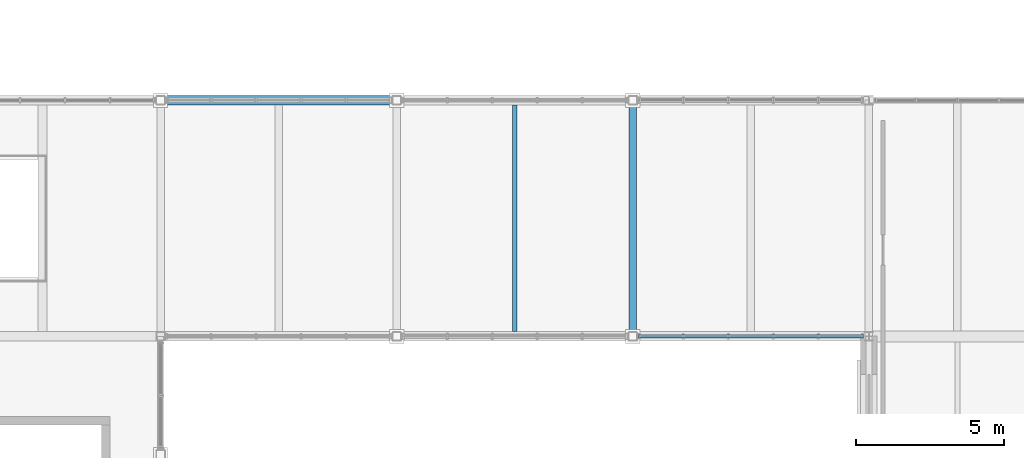
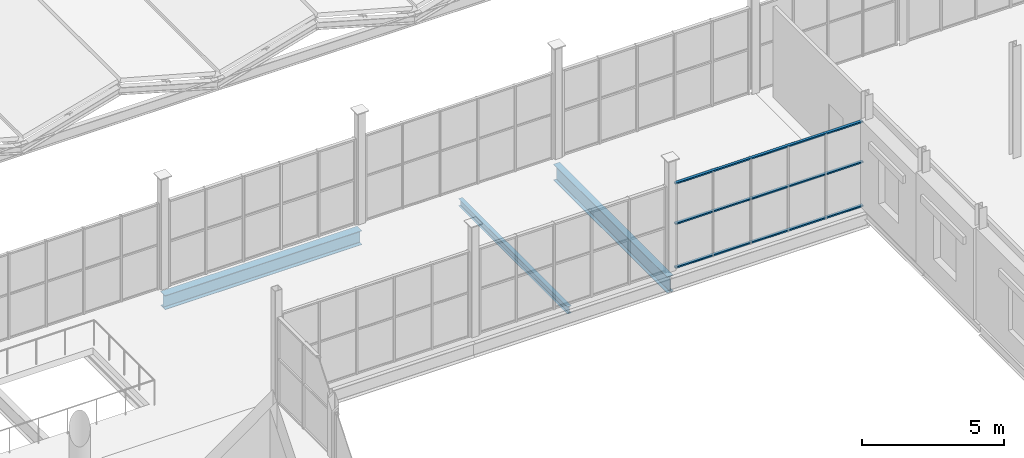
# One storey, part 52 of 114: 3 beams, 3 members, 1 element without a shape of its own.
"""IFC4 building model written with IfcOpenShell, lengths in metres."""

from ifc_helpers import new_model, si_unit, direction, frame, origin, origin_2d, place, context, subcontext, project, spatial, hollow_rectangle, i_section, extrude, material, material_profile, profile_set, type_object, element, aggregate, save


model = new_model("IFC4")

# Units and contexts
model_context = context("Model", 3, precision=1e-05, world=origin(), true_north=direction((0.0, 1.0)))
body_context = subcontext(model_context, "Body", "Model", "MODEL_VIEW")
ifc_project = project(units=[si_unit("LENGTHUNIT", "METRE"), si_unit("AREAUNIT", "SQUARE_METRE"), si_unit("VOLUMEUNIT", "CUBIC_METRE"), si_unit("PLANEANGLEUNIT", "RADIAN"), si_unit("MASSUNIT", "GRAM", prefix="KILO")], contexts=[model_context])

# Site, building, storey
site_placement = place(None, origin())
site = spatial("IfcSite", under=ifc_project, at=site_placement, CompositionType="ELEMENT")
building_placement = place(site_placement, origin())
building = spatial("IfcBuilding", under=site, at=building_placement, Name="Verrall Gate Interchange", CompositionType="ELEMENT")
storey_placement = place(building_placement, frame((0.0, 0.0, 6.60009765625)))
storey = spatial("IfcBuildingStorey", under=building, at=storey_placement, Name="L02", CompositionType="ELEMENT", Elevation=6.60009765625)

# Beams
ifc_material_1 = material(Name="Structural Steel CSA G40.21 350WT Cat 4", Category="steel")
ifc_material_profile_1 = material_profile(ifc_material_1, i_section(OverallWidth=0.256103515625, OverallDepth=0.693115234375, WebThickness=0.01318359375, FlangeThickness=0.02001953125, FilletRadius=0.01611328125, at=origin_2d()), Name="W690x170")
ifc_profile_set_1 = profile_set([ifc_material_profile_1], Name="Structural Steel CSA G40.21 350WT Cat 4")
beam_type_1 = type_object("IfcBeamType", Name="B-07 Structural Beam W690x170", PredefinedType="BEAM", material=ifc_profile_set_1)
beam_1_placement = place(storey_placement, frame((124.0, 48.0, -0.626708984375), z_axis=(0.0, 1.0, 0.0), x_axis=(-1.0, 0.0, 0.0)))
element("IfcBeam", 1, at=beam_1_placement, inside=storey, type_object=beam_type_1, Name="L02 Girder BM-L02-1782 (B-07)", PredefinedType="BEAM", context=body_context, shape_type="SweptSolid", body=[
    extrude(i_section(OverallWidth=0.256103515625, OverallDepth=0.693115234375, WebThickness=0.01318359375, FlangeThickness=0.02001953125, FilletRadius=0.01611328125, at=origin_2d()), origin(), (0.0, 0.0, 1.0), 8.0),
])
ifc_material_2 = material(Name="Structural Steel CSA G40.21 350WT Cat 4", Category="steel")
ifc_material_profile_2 = material_profile(ifc_material_2, i_section(OverallWidth=0.323974609375, OverallDepth=0.611083984375, WebThickness=0.0126953125, FlangeThickness=0.01904296875, FilletRadius=0.014892578125, at=origin_2d()), Name="W610x155")
ifc_profile_set_2 = profile_set([ifc_material_profile_2], Name="Structural Steel CSA G40.21 350WT Cat 4")
beam_type_2 = type_object("IfcBeamType", Name="B-08 Structural Beam W610x155", PredefinedType="BEAM", material=ifc_profile_set_2)
beam_2_placement = place(storey_placement, frame((108.0, 56.0, -0.585693359375), z_axis=(1.0, 0.0, 0.0), x_axis=(0.0, 1.0, 0.0)))
element("IfcBeam", 2, at=beam_2_placement, inside=storey, type_object=beam_type_2, Name="L02 Girder BM-L02-1601 (B-08)", PredefinedType="BEAM", context=body_context, shape_type="SweptSolid", body=[
    extrude(i_section(OverallWidth=0.323974609375, OverallDepth=0.611083984375, WebThickness=0.0126953125, FlangeThickness=0.01904296875, FilletRadius=0.014892578125, at=origin_2d()), origin(), (0.0, 0.0, 1.0), 8.0),
])

# Curtain wall, members
ifc_material_3 = material(Name="Thermally Broken Anodized Aluminium Curtain Wall Framing", Category="aluminium")
curtain_wall_type = type_object("IfcCurtainWallType", Name="CW-21 Unitized Curtain Wall 7631x3680", PredefinedType="NOTDEFINED", material=ifc_material_3)
curtain_wall_placement = place(storey_placement, origin())
curtain_wall = element("IfcCurtainWall", 3, at=curtain_wall_placement, inside=storey, type_object=curtain_wall_type, Name="L02 Unitized Curtain Wall CW-L02-072", PredefinedType="NOTDEFINED")
ifc_material_4 = material(Name="Thermally Broken Anodized Aluminium Curtain Wall Framing", Category="aluminium")
ifc_material_profile_3 = material_profile(ifc_material_4, hollow_rectangle(XDim=0.1201171875, YDim=0.06494140625, WallThickness=0.00390625, InnerFilletRadius=0.00390625, OuterFilletRadius=0.008056640625, at=origin_2d()), Name="CWT120x65x4")
ifc_profile_set_3 = profile_set([ifc_material_profile_3], Name="Thermally Broken Anodized Aluminium Curtain Wall Framing")
member_type = type_object("IfcMemberType", Name="CT-01 Curtain Transom CWT120x65x4", PredefinedType="USERDEFINED", material=ifc_profile_set_3)
member_1_placement = place(storey_placement, frame((124.1845703125, 48.0, 0.032470703125), z_axis=(1.0, 0.0, 0.0), x_axis=(0.0, 1.0, 0.0)))
member_1 = element("IfcMember", 4, at=member_1_placement, type_object=member_type, Name="CW-L02-072 Transom 1", ObjectType="TRANSOM", PredefinedType="USERDEFINED", context=body_context, shape_type="SweptSolid", body=[
    extrude(hollow_rectangle(XDim=0.1201171875, YDim=0.06494140625, WallThickness=0.00390625, InnerFilletRadius=0.00390625, OuterFilletRadius=0.008056640625, at=origin_2d()), origin(), (0.0, 0.0, 1.0), 7.6298828125),
])
member_2_placement = place(storey_placement, frame((124.1845703125, 48.0, 1.91357421875), z_axis=(1.0, 0.0, 0.0), x_axis=(0.0, 1.0, 0.0)))
member_2 = element("IfcMember", 5, at=member_2_placement, type_object=member_type, Name="CW-L02-072 Transom 2", ObjectType="TRANSOM", PredefinedType="USERDEFINED", context=body_context, shape_type="SweptSolid", body=[
    extrude(hollow_rectangle(XDim=0.1201171875, YDim=0.06494140625, WallThickness=0.00390625, InnerFilletRadius=0.00390625, OuterFilletRadius=0.008056640625, at=origin_2d()), origin(), (0.0, 0.0, 1.0), 7.6298828125),
])
member_3_placement = place(storey_placement, frame((124.1845703125, 48.0, 3.6474609375), z_axis=(1.0, 0.0, 0.0), x_axis=(0.0, 1.0, 0.0)))
member_3 = element("IfcMember", 6, at=member_3_placement, type_object=member_type, Name="CW-L02-072 Transom 3", ObjectType="TRANSOM", PredefinedType="USERDEFINED", context=body_context, shape_type="SweptSolid", body=[
    extrude(hollow_rectangle(XDim=0.1201171875, YDim=0.06494140625, WallThickness=0.00390625, InnerFilletRadius=0.00390625, OuterFilletRadius=0.008056640625, at=origin_2d()), origin(), (0.0, 0.0, 1.0), 7.6298828125),
])
aggregate(curtain_wall, [member_1, member_2, member_3])

# Beam
ifc_material_5 = material(Name="Structural Steel CSA G40.21 350W", Category="steel")
ifc_material_profile_4 = material_profile(ifc_material_5, i_section(OverallWidth=0.1650390625, OverallDepth=0.31005859375, WebThickness=0.005859375, FlangeThickness=0.009765625, FilletRadius=0.010009765625, at=origin_2d()), Name="W310x39")
ifc_profile_set_4 = profile_set([ifc_material_profile_4], Name="Structural Steel CSA G40.21 350W")
beam_type_3 = type_object("IfcBeamType", Name="J-04 Floor Joist W310x39", PredefinedType="JOIST", material=ifc_profile_set_4)
beam_3_placement = place(storey_placement, frame((120.0, 48.162109375, -0.43505859375), z_axis=(0.0, 1.0, 0.0), x_axis=(-1.0, 0.0, 0.0)))
element("IfcBeam", 7, at=beam_3_placement, inside=storey, type_object=beam_type_3, Name="L02 Secondary Floor Joist JST-L02-1953", PredefinedType="JOIST", context=body_context, shape_type="SweptSolid", body=[
    extrude(i_section(OverallWidth=0.1650390625, OverallDepth=0.31005859375, WebThickness=0.005859375, FlangeThickness=0.009765625, FilletRadius=0.010009765625, at=origin_2d()), origin(), (0.0, 0.0, 1.0), 7.67578125),
])

save(model, "model.ifc")
